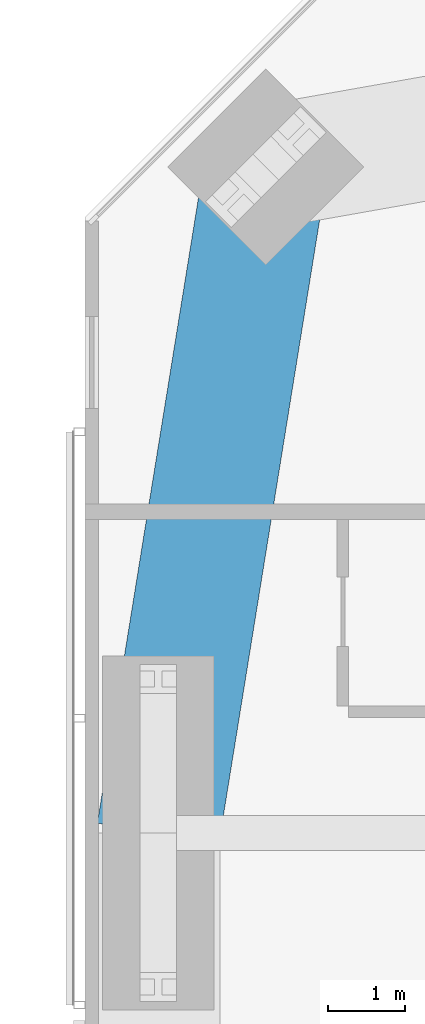
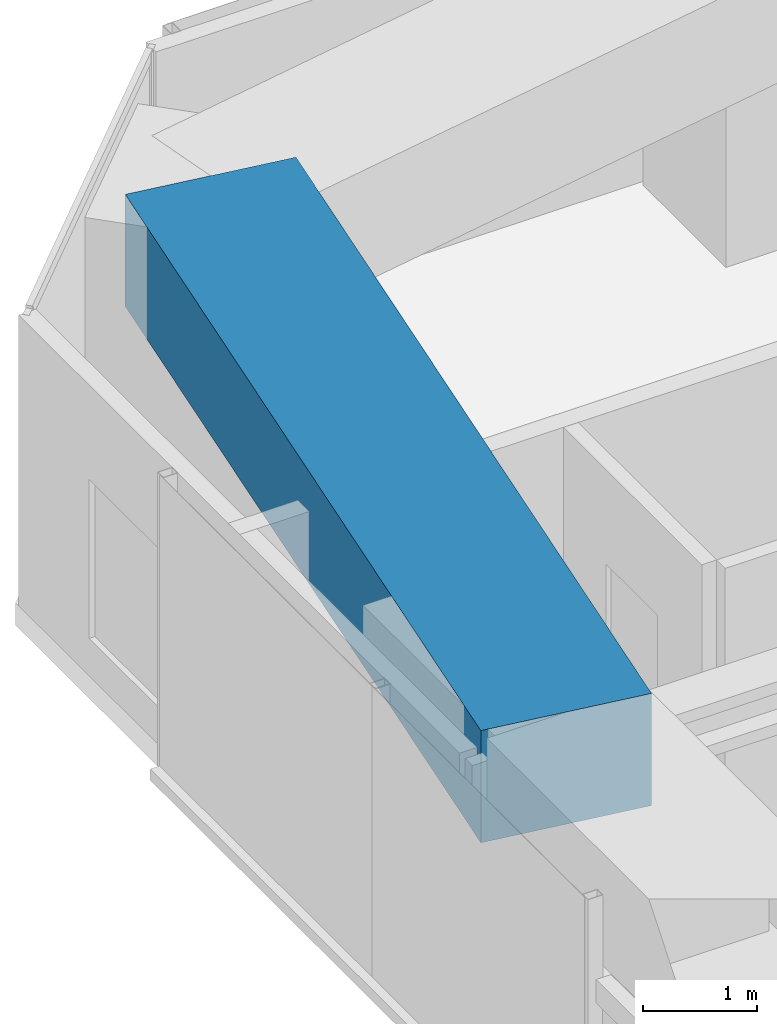
# One storey, part 6 of 22: 1 beam.
"""IFC4 building model written with IfcOpenShell, lengths in metres."""

from ifc_helpers import new_model, si_unit, direction, frame, origin, origin_2d, place, context, subcontext, project, spatial, rectangle, extrude, material, material_profile, profile_set, type_object, element, save


model = new_model("IFC4")

# Units and contexts
model_context = context("Model", 3, precision=1e-05, world=origin(), true_north=direction((0.0, 1.0)))
body_context = subcontext(model_context, "Body", "Model", "MODEL_VIEW")
ifc_project = project(units=[si_unit("LENGTHUNIT", "METRE"), si_unit("AREAUNIT", "SQUARE_METRE"), si_unit("VOLUMEUNIT", "CUBIC_METRE"), si_unit("PLANEANGLEUNIT", "RADIAN"), si_unit("MASSUNIT", "GRAM", prefix="KILO")], contexts=[model_context])

# Site, building, storey
site_placement = place(None, origin())
site = spatial("IfcSite", under=ifc_project, at=site_placement, CompositionType="ELEMENT")
building_placement = place(site_placement, origin())
building = spatial("IfcBuilding", under=site, at=building_placement, Name="Jalousie Tower", CompositionType="ELEMENT")
storey_placement = place(building_placement, frame((0.0, 0.0, 177.800048828125)))
storey = spatial("IfcBuildingStorey", under=building, at=storey_placement, Name="L48", CompositionType="ELEMENT", Elevation=177.800048828125)

# Beam
ifc_material = material(Name="Concrete f'c 40 MPa", Category="concrete")
ifc_material_profile = material_profile(ifc_material, rectangle(XDim=1.60009765625, YDim=1.199951171875, at=origin_2d()), Name="RC 1600x1200")
ifc_profile_set = profile_set([ifc_material_profile], Name="Concrete f'c 40 MPa")
beam_type = type_object("IfcBeamType", Name="RC BEAM 1600x1200", PredefinedType="BEAM", material=ifc_profile_set)
beam_placement = place(storey_placement, frame((14.348388671875, 33.651611328125, 2.75), z_axis=(-0.159567878256, -0.987186959106, 0.0), x_axis=(0.987186959106, -0.159567878256, 0.0)))
element("IfcBeam", 1, at=beam_placement, inside=storey, type_object=beam_type, Name="Edge band beam 12-13 under L49", PredefinedType="BEAM", context=body_context, shape_type="SweptSolid", body=[
    extrude(rectangle(XDim=1.60009765625, YDim=1.199951171875, at=origin_2d()), origin(), (0.0, 0.0, 1.0), 8.763916015625),
])

save(model, "model.ifc")
